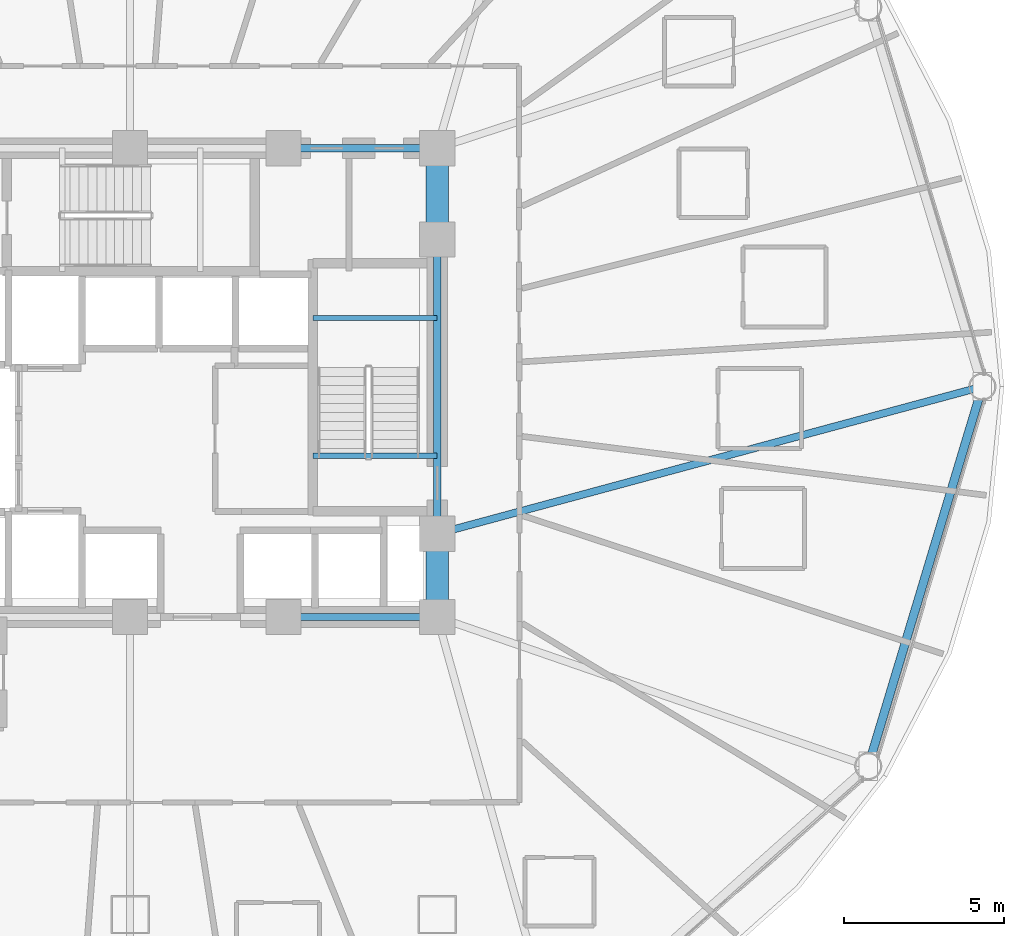
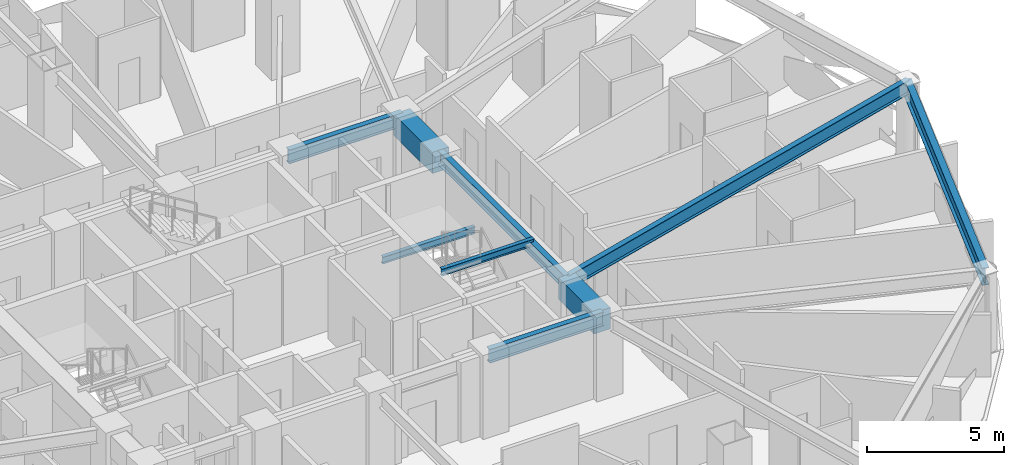
# One storey, part 13 of 32: 9 beams.
"""IFC4 building model written with IfcOpenShell, lengths in metres."""

from ifc_helpers import new_model, si_unit, direction, frame, origin, origin_2d, place, context, subcontext, project, spatial, rectangle, i_section, extrude, material, material_profile, profile_set, type_object, element, save


model = new_model("IFC4")

# Units and contexts
model_context = context("Model", 3, precision=1e-05, world=origin(), true_north=direction((0.0, 1.0)))
body_context = subcontext(model_context, "Body", "Model", "MODEL_VIEW")
ifc_project = project(units=[si_unit("LENGTHUNIT", "METRE"), si_unit("AREAUNIT", "SQUARE_METRE"), si_unit("VOLUMEUNIT", "CUBIC_METRE"), si_unit("PLANEANGLEUNIT", "RADIAN"), si_unit("MASSUNIT", "GRAM", prefix="KILO")], contexts=[model_context])

# Site, building, storey
site_placement = place(None, origin())
site = spatial("IfcSite", under=ifc_project, at=site_placement, CompositionType="ELEMENT")
building_placement = place(site_placement, origin())
building = spatial("IfcBuilding", under=site, at=building_placement, Name="Vantalir Tower", CompositionType="ELEMENT")
storey_placement = place(building_placement, frame((0.0, 0.0, 45.75)))
storey = spatial("IfcBuildingStorey", under=building, at=storey_placement, Name="L10", CompositionType="ELEMENT", Elevation=45.75)

# Beams
ifc_material_1 = material(Name="Concrete C60/75", Category="concrete")
ifc_material_profile_1 = material_profile(ifc_material_1, rectangle(XDim=0.699951171875, YDim=0.949951171875, at=origin_2d()), Name="Concrete C60/75")
ifc_profile_set_1 = profile_set([ifc_material_profile_1], Name="Concrete C60/75")
beam_type_1 = type_object("IfcBeamType", Name="BM-CB-700x950", PredefinedType="USERDEFINED", material=ifc_profile_set_1)
beam_1_placement = place(storey_placement, frame((41.10009765625, 17.800048828125, 3.094970703125), z_axis=(0.0, 1.0, 0.0), x_axis=(-1.0, 0.0, 0.0)))
element("IfcBeam", 1, at=beam_1_placement, inside=storey, type_object=beam_type_1, Name="L10 Core Coupling Girder 05", ObjectType="GIRDER", PredefinedType="USERDEFINED", context=body_context, shape_type="SweptSolid", body=[
    extrude(rectangle(XDim=0.699951171875, YDim=0.949951171875, at=origin_2d()), origin(), (0.0, 0.0, 1.0), 2.599853515625),
])
beam_2_placement = place(storey_placement, frame((41.10009765625, 29.60009765625, 3.094970703125), z_axis=(0.0, 1.0, 0.0), x_axis=(-1.0, 0.0, 0.0)))
element("IfcBeam", 2, at=beam_2_placement, inside=storey, type_object=beam_type_1, Name="L10 Core Coupling Girder 07", ObjectType="GIRDER", PredefinedType="USERDEFINED", context=body_context, shape_type="SweptSolid", body=[
    extrude(rectangle(XDim=0.699951171875, YDim=0.949951171875, at=origin_2d()), origin(), (0.0, 0.0, 1.0), 2.849853515625),
])
ifc_material_2 = material(Name="Steel S355", Category="steel")
ifc_material_profile_2 = material_profile(ifc_material_2, i_section(OverallWidth=0.166015625, OverallDepth=0.306884765625, WebThickness=0.006591796875, FlangeThickness=0.01171875, at=origin_2d()), Name="Steel S355")
ifc_profile_set_2 = profile_set([ifc_material_profile_2], Name="Steel S355")
beam_type_2 = type_object("IfcBeamType", Name="BM-JS-305x165", PredefinedType="JOIST", material=ifc_profile_set_2)
for number, where, z_axis, x_axis, name in (
    (3, (37.2099609375, 22.8349609375, 3.595947265625), (1.0, 0.0, 0.0), (0.0, 1.0, 0.0), "L11 Stair ST2 Well Nosing Trimmer Beam"),
    (4, (37.2099609375, 27.14501953125, 1.52099609375), (1.0, 0.0, 0.0), (0.0, 1.0, 0.0), "L10 Stair ST2 Half-Landing Support Beam"),
):
    element("IfcBeam", number, at=place(storey_placement, frame(where, z_axis=z_axis, x_axis=x_axis)), inside=storey, type_object=beam_type_2, Name=name, PredefinedType="JOIST", context=body_context, shape_type="SweptSolid", body=[
        extrude(i_section(OverallWidth=0.166015625, OverallDepth=0.306884765625, WebThickness=0.006591796875, FlangeThickness=0.01171875, at=origin_2d()), origin(), (0.0, 0.0, 1.0), 3.89013671875),
    ])
ifc_material_profile_3 = material_profile(ifc_material_2, i_section(OverallWidth=0.22998046875, OverallDepth=0.616943359375, WebThickness=0.01318359375, FlangeThickness=0.022216796875, at=origin_2d()), Name="Steel S355")
ifc_profile_set_3 = profile_set([ifc_material_profile_3], Name="Steel S355")
beam_type_3 = type_object("IfcBeamType", Name="BM-RB-610x229", PredefinedType="BEAM", material=ifc_profile_set_3)
beam_3_placement = place(storey_placement, frame((36.300048828125, 17.800048828125, 3.261962890625), z_axis=(1.0, 0.0, 0.0), x_axis=(0.0, 1.0, 0.0)))
element("IfcBeam", 5, at=beam_3_placement, inside=storey, type_object=beam_type_3, Name="L10 Core Coupling Girder 04", PredefinedType="BEAM", context=body_context, shape_type="SweptSolid", body=[
    extrude(i_section(OverallWidth=0.22998046875, OverallDepth=0.616943359375, WebThickness=0.01318359375, FlangeThickness=0.022216796875, at=origin_2d()), origin(), (0.0, 0.0, 1.0), 4.800048828125),
])
beam_4_placement = place(storey_placement, frame((41.10009765625, 20.39990234375, 3.261962890625), z_axis=(0.0, 1.0, 0.0), x_axis=(-1.0, 0.0, 0.0)))
element("IfcBeam", 6, at=beam_4_placement, inside=storey, type_object=beam_type_3, Name="L10 Core Coupling Girder 06", PredefinedType="BEAM", context=body_context, shape_type="SweptSolid", body=[
    extrude(i_section(OverallWidth=0.22998046875, OverallDepth=0.616943359375, WebThickness=0.01318359375, FlangeThickness=0.022216796875, at=origin_2d()), origin(), (0.0, 0.0, 1.0), 9.2001953125),
])
beam_5_placement = place(storey_placement, frame((41.10009765625, 32.449951171875, 3.261962890625), z_axis=(-1.0, 0.0, 0.0), x_axis=(0.0, -1.0, 0.0)))
element("IfcBeam", 7, at=beam_5_placement, inside=storey, type_object=beam_type_3, Name="L10 Core Coupling Girder 08", PredefinedType="BEAM", context=body_context, shape_type="SweptSolid", body=[
    extrude(i_section(OverallWidth=0.22998046875, OverallDepth=0.616943359375, WebThickness=0.01318359375, FlangeThickness=0.022216796875, at=origin_2d()), origin(), (0.0, 0.0, 1.0), 4.800048828125),
])
beam_6_placement = place(storey_placement, frame((58.138916015625, 25.0, 3.261962890625), z_axis=(-0.965434547817, -0.260645609749, 0.0), x_axis=(0.260645609749, -0.965434547817, 0.0)))
element("IfcBeam", 8, at=beam_6_placement, inside=storey, type_object=beam_type_3, Name="L10 Radial Floor Beam 01", PredefinedType="BEAM", context=body_context, shape_type="SweptSolid", body=[
    extrude(i_section(OverallWidth=0.22998046875, OverallDepth=0.616943359375, WebThickness=0.01318359375, FlangeThickness=0.022216796875, at=origin_2d()), origin(), (0.0, 0.0, 1.0), 17.64892578125),
])
ifc_material_3 = material(Name="Steel S460", Category="steel")
ifc_material_profile_4 = material_profile(ifc_material_3, i_section(OverallWidth=0.26806640625, OverallDepth=0.77001953125, WebThickness=0.015625, FlangeThickness=0.025390625, at=origin_2d()), Name="Steel S460")
ifc_profile_set_4 = profile_set([ifc_material_profile_4], Name="Steel S460")
beam_type_4 = type_object("IfcBeamType", Name="BM-RG-762x267", PredefinedType="USERDEFINED", material=ifc_profile_set_4)
beam_7_placement = place(storey_placement, frame((54.570068359375, 13.136962890625, 3.18505859375), z_axis=(0.288083666515, 0.957605242826, 0.0), x_axis=(-0.957605242826, 0.288083666515, 0.0)))
element("IfcBeam", 9, at=beam_7_placement, inside=storey, type_object=beam_type_4, Name="L10 Circumferential Ring Girder 12", ObjectType="GIRDER", PredefinedType="USERDEFINED", context=body_context, shape_type="SweptSolid", body=[
    extrude(i_section(OverallWidth=0.26806640625, OverallDepth=0.77001953125, WebThickness=0.015625, FlangeThickness=0.025390625, at=origin_2d()), origin(), (0.0, 0.0, 1.0), 12.38818359375),
])

save(model, "model.ifc")
